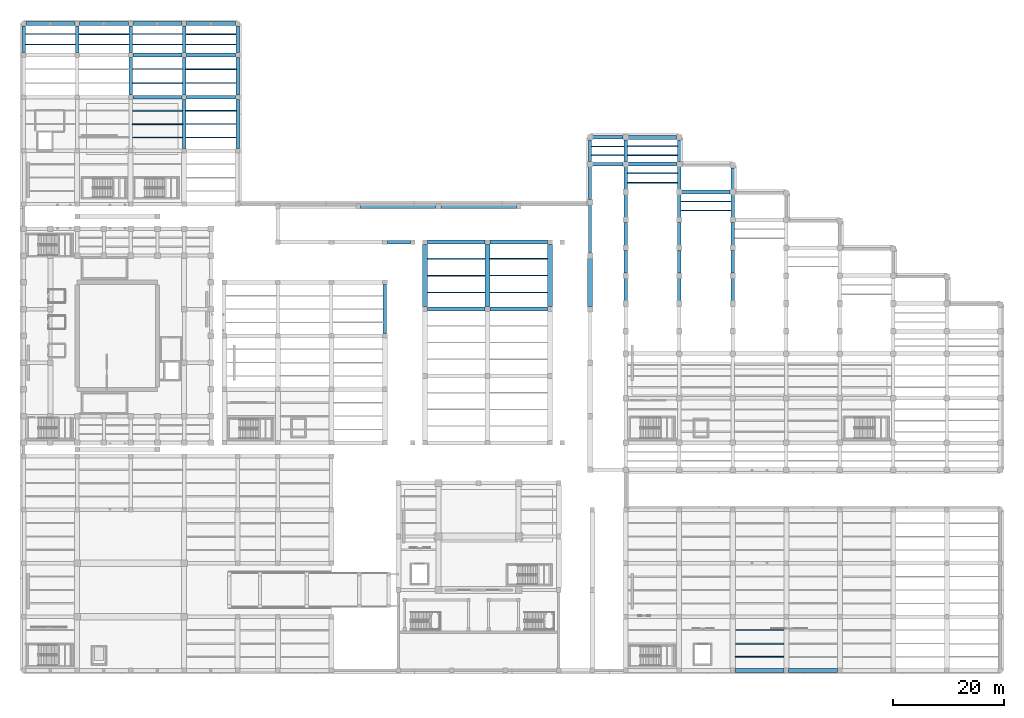
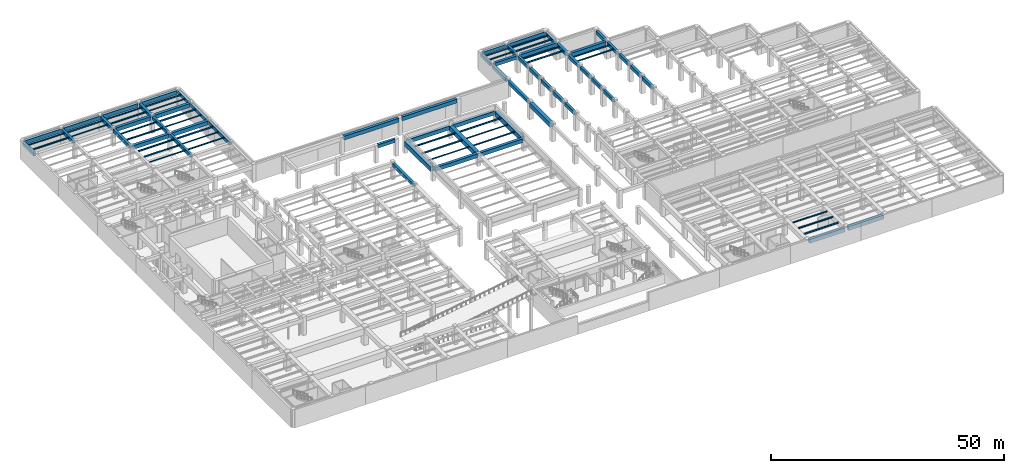
# One storey, part 19 of 45: 92 beams.
"""IFC4 building model written with IfcOpenShell, lengths in metres."""

from ifc_helpers import new_model, si_unit, direction, frame, origin, origin_2d, place, context, subcontext, project, spatial, rectangle, i_section, extrude, material, material_profile, profile_set, type_object, element, save


model = new_model("IFC4")

# Units and contexts
model_context = context("Model", 3, precision=1e-05, world=origin(), true_north=direction((0.0, 1.0)))
body_context = subcontext(model_context, "Body", "Model", "MODEL_VIEW")
ifc_project = project(units=[si_unit("LENGTHUNIT", "METRE"), si_unit("AREAUNIT", "SQUARE_METRE"), si_unit("VOLUMEUNIT", "CUBIC_METRE"), si_unit("PLANEANGLEUNIT", "RADIAN"), si_unit("MASSUNIT", "GRAM", prefix="KILO")], contexts=[model_context])

# Site, building, storey
site_placement = place(None, origin())
site = spatial("IfcSite", under=ifc_project, at=site_placement, CompositionType="ELEMENT")
building_placement = place(site_placement, origin())
building = spatial("IfcBuilding", under=site, at=building_placement, Name="Mavantir Sound Aquarium", CompositionType="ELEMENT")
storey_placement = place(building_placement, frame((0.0, 0.0, -4.800048828125)))
storey = spatial("IfcBuildingStorey", under=building, at=storey_placement, Name="B1", CompositionType="ELEMENT", Elevation=-4.800048828125)

# Beams
ifc_material_1 = material(Name="Concrete C40/50", Category="concrete")
ifc_material_profile_1 = material_profile(ifc_material_1, rectangle(XDim=0.60009765625, YDim=0.89990234375, at=origin_2d()), Name="RC 600X900")
ifc_profile_set_1 = profile_set([ifc_material_profile_1], Name="Concrete C40/50")
beam_type_1 = type_object("IfcBeamType", Name="BM-RC600X900-E", PredefinedType="BEAM", material=ifc_profile_set_1)
beam_1_placement = place(storey_placement, frame((64.800048828125, 60.425048828125, 3.946044921875), z_axis=(0.0, 1.0, 0.0), x_axis=(-1.0, 0.0, 0.0)))
element("IfcBeam", 1, at=beam_1_placement, inside=storey, type_object=beam_type_1, Name="B1 primary girder RCB-09 534", PredefinedType="BEAM", context=body_context, shape_type="SweptSolid", body=[
    extrude(rectangle(XDim=0.60009765625, YDim=0.89990234375, at=origin_2d()), origin(), (0.0, 0.0, 1.0), 8.75),
])
beam_2_placement = place(storey_placement, frame((102.050048828125, 95.60009765625, 4.01611328125), z_axis=(1.0, 0.0, 0.0), x_axis=(0.0, 1.0, 0.0)))
element("IfcBeam", 2, at=beam_2_placement, inside=storey, type_object=beam_type_1, Name="B1 primary beam RCB-09 621", PredefinedType="BEAM", context=body_context, shape_type="SweptSolid", body=[
    extrude(rectangle(XDim=0.60009765625, YDim=0.89990234375, at=origin_2d()), origin(), (0.0, 0.0, 1.0), 5.5),
])
beam_3_placement = place(storey_placement, frame((101.60009765625, 74.85009765625, 4.01611328125), z_axis=(0.0, 1.0, 0.0), x_axis=(-1.0, 0.0, 0.0)))
element("IfcBeam", 3, at=beam_3_placement, inside=storey, type_object=beam_type_1, Name="B1 primary girder RCB-09 627", PredefinedType="BEAM", context=body_context, shape_type="SweptSolid", body=[
    extrude(rectangle(XDim=0.60009765625, YDim=0.89990234375, at=origin_2d()), origin(), (0.0, 0.0, 1.0), 8.699951171875),
])
beam_4_placement = place(storey_placement, frame((101.60009765625, 84.449951171875, 4.01611328125), z_axis=(0.0, 1.0, 0.0), x_axis=(-1.0, 0.0, 0.0)))
element("IfcBeam", 4, at=beam_4_placement, inside=storey, type_object=beam_type_1, Name="B1 primary girder RCB-09 628", PredefinedType="BEAM", context=body_context, shape_type="SweptSolid", body=[
    extrude(rectangle(XDim=0.60009765625, YDim=0.89990234375, at=origin_2d()), origin(), (0.0, 0.0, 1.0), 5.900146484375),
])
beam_5_placement = place(storey_placement, frame((101.60009765625, 91.25, 4.01611328125), z_axis=(0.0, 1.0, 0.0), x_axis=(-1.0, 0.0, 0.0)))
element("IfcBeam", 5, at=beam_5_placement, inside=storey, type_object=beam_type_1, Name="B1 primary girder RCB-09 629", PredefinedType="BEAM", context=body_context, shape_type="SweptSolid", body=[
    extrude(rectangle(XDim=0.60009765625, YDim=0.89990234375, at=origin_2d()), origin(), (0.0, 0.0, 1.0), 3.89990234375),
])
beam_6_placement = place(storey_placement, frame((0.0, 110.824951171875, 4.046142578125), z_axis=(0.0, 1.0, 0.0), x_axis=(-1.0, 0.0, 0.0)))
element("IfcBeam", 6, at=beam_6_placement, inside=storey, type_object=beam_type_1, Name="B1 primary girder RCB-09 720", PredefinedType="BEAM", context=body_context, shape_type="SweptSolid", body=[
    extrude(rectangle(XDim=0.60009765625, YDim=0.89990234375, at=origin_2d()), origin(), (0.0, 0.0, 1.0), 4.75),
])
beam_7_placement = place(storey_placement, frame((38.39990234375, 93.625, 4.046142578125), z_axis=(0.0, 1.0, 0.0), x_axis=(-1.0, 0.0, 0.0)))
element("IfcBeam", 7, at=beam_7_placement, inside=storey, type_object=beam_type_1, Name="B1 primary girder RCB-09 734", PredefinedType="BEAM", context=body_context, shape_type="SweptSolid", body=[
    extrude(rectangle(XDim=0.60009765625, YDim=0.89990234375, at=origin_2d()), origin(), (0.0, 0.0, 1.0), 8.75),
])
beam_8_placement = place(storey_placement, frame((38.39990234375, 103.22509765625, 4.046142578125), z_axis=(0.0, 1.0, 0.0), x_axis=(-1.0, 0.0, 0.0)))
element("IfcBeam", 8, at=beam_8_placement, inside=storey, type_object=beam_type_1, Name="B1 primary girder RCB-09 735", PredefinedType="BEAM", context=body_context, shape_type="SweptSolid", body=[
    extrude(rectangle(XDim=0.60009765625, YDim=0.89990234375, at=origin_2d()), origin(), (0.0, 0.0, 1.0), 6.75),
])
beam_9_placement = place(storey_placement, frame((38.39990234375, 110.824951171875, 4.046142578125), z_axis=(0.0, 1.0, 0.0), x_axis=(-1.0, 0.0, 0.0)))
element("IfcBeam", 9, at=beam_9_placement, inside=storey, type_object=beam_type_1, Name="B1 primary girder RCB-09 736", PredefinedType="BEAM", context=body_context, shape_type="SweptSolid", body=[
    extrude(rectangle(XDim=0.60009765625, YDim=0.89990234375, at=origin_2d()), origin(), (0.0, 0.0, 1.0), 4.75),
])
ifc_material_profile_2 = material_profile(ifc_material_1, rectangle(XDim=0.60009765625, YDim=0.89990234375, at=origin_2d()), Name="RC 600X900")
ifc_profile_set_2 = profile_set([ifc_material_profile_2], Name="Concrete C40/50")
beam_type_2 = type_object("IfcBeamType", Name="BM-RC600X900-I", PredefinedType="BEAM", material=ifc_profile_set_2)
beam_10_placement = place(storey_placement, frame((65.22509765625, 76.800048828125, 4.095947265625), z_axis=(1.0, 0.0, 0.0), x_axis=(0.0, 1.0, 0.0)))
element("IfcBeam", 10, at=beam_10_placement, inside=storey, type_object=beam_type_2, Name="B1 primary beam RCB-09 430", PredefinedType="BEAM", context=body_context, shape_type="SweptSolid", body=[
    extrude(rectangle(XDim=0.60009765625, YDim=0.89990234375, at=origin_2d()), origin(), (0.0, 0.0, 1.0), 4.14990234375),
])
beam_11_placement = place(storey_placement, frame((102.050048828125, 90.800048828125, 4.01611328125), z_axis=(1.0, 0.0, 0.0), x_axis=(0.0, 1.0, 0.0)))
element("IfcBeam", 11, at=beam_11_placement, inside=storey, type_object=beam_type_2, Name="B1 primary beam RCB-09 619", PredefinedType="BEAM", context=body_context, shape_type="SweptSolid", body=[
    extrude(rectangle(XDim=0.60009765625, YDim=0.89990234375, at=origin_2d()), origin(), (0.0, 0.0, 1.0), 5.5),
])
for number, where, z_axis, x_axis, name in (
    (12, (108.0, 66.25, 4.01611328125), (0.0, 1.0, 0.0), (-1.0, 0.0, 0.0), "B1 primary girder RCB-09 635"),
    (13, (108.0, 71.25, 4.01611328125), (0.0, 1.0, 0.0), (-1.0, 0.0, 0.0), "B1 primary girder RCB-09 636"),
    (14, (108.0, 76.25, 4.01611328125), (0.0, 1.0, 0.0), (-1.0, 0.0, 0.0), "B1 primary girder RCB-09 637"),
    (15, (108.0, 81.25, 4.01611328125), (0.0, 1.0, 0.0), (-1.0, 0.0, 0.0), "B1 primary girder RCB-09 638"),
    (16, (108.0, 86.25, 4.01611328125), (0.0, 1.0, 0.0), (-1.0, 0.0, 0.0), "B1 primary girder RCB-09 639"),
):
    element("IfcBeam", number, at=place(storey_placement, frame(where, z_axis=z_axis, x_axis=x_axis)), inside=storey, type_object=beam_type_2, Name=name, PredefinedType="BEAM", context=body_context, shape_type="SweptSolid", body=[
        extrude(rectangle(XDim=0.60009765625, YDim=0.89990234375, at=origin_2d()), origin(), (0.0, 0.0, 1.0), 4.10009765625),
    ])
beam_12_placement = place(storey_placement, frame((108.0, 91.25, 4.01611328125), z_axis=(0.0, 1.0, 0.0), x_axis=(-1.0, 0.0, 0.0)))
element("IfcBeam", 17, at=beam_12_placement, inside=storey, type_object=beam_type_2, Name="B1 primary girder RCB-09 640", PredefinedType="BEAM", context=body_context, shape_type="SweptSolid", body=[
    extrude(rectangle(XDim=0.60009765625, YDim=0.89990234375, at=origin_2d()), origin(), (0.0, 0.0, 1.0), 3.89990234375),
])
for number, where, z_axis, x_axis, name in (
    (18, (117.60009765625, 66.25, 4.01611328125), (0.0, 1.0, 0.0), (-1.0, 0.0, 0.0), "B1 primary girder RCB-09 646"),
    (19, (117.60009765625, 71.25, 4.01611328125), (0.0, 1.0, 0.0), (-1.0, 0.0, 0.0), "B1 primary girder RCB-09 647"),
    (20, (117.60009765625, 76.25, 4.01611328125), (0.0, 1.0, 0.0), (-1.0, 0.0, 0.0), "B1 primary girder RCB-09 648"),
    (21, (117.60009765625, 81.25, 4.01611328125), (0.0, 1.0, 0.0), (-1.0, 0.0, 0.0), "B1 primary girder RCB-09 649"),
    (22, (117.60009765625, 86.25, 4.01611328125), (0.0, 1.0, 0.0), (-1.0, 0.0, 0.0), "B1 primary girder RCB-09 650"),
):
    element("IfcBeam", number, at=place(storey_placement, frame(where, z_axis=z_axis, x_axis=x_axis)), inside=storey, type_object=beam_type_2, Name=name, PredefinedType="BEAM", context=body_context, shape_type="SweptSolid", body=[
        extrude(rectangle(XDim=0.60009765625, YDim=0.89990234375, at=origin_2d()), origin(), (0.0, 0.0, 1.0), 4.10009765625),
    ])
beam_13_placement = place(storey_placement, frame((117.60009765625, 91.25, 4.01611328125), z_axis=(0.0, 1.0, 0.0), x_axis=(-1.0, 0.0, 0.0)))
element("IfcBeam", 23, at=beam_13_placement, inside=storey, type_object=beam_type_2, Name="B1 primary girder RCB-09 651", PredefinedType="BEAM", context=body_context, shape_type="SweptSolid", body=[
    extrude(rectangle(XDim=0.60009765625, YDim=0.89990234375, at=origin_2d()), origin(), (0.0, 0.0, 1.0), 3.89990234375),
])
for number, where, z_axis, x_axis, name in (
    (24, (127.199951171875, 66.25, 4.0361328125), (0.0, 1.0, 0.0), (-1.0, 0.0, 0.0), "B1 primary girder RCB-09 657"),
    (25, (127.199951171875, 71.25, 4.0361328125), (0.0, 1.0, 0.0), (-1.0, 0.0, 0.0), "B1 primary girder RCB-09 658"),
    (26, (127.199951171875, 76.25, 4.0361328125), (0.0, 1.0, 0.0), (-1.0, 0.0, 0.0), "B1 primary girder RCB-09 659"),
    (27, (127.199951171875, 81.25, 4.0361328125), (0.0, 1.0, 0.0), (-1.0, 0.0, 0.0), "B1 primary girder RCB-09 660"),
):
    element("IfcBeam", number, at=place(storey_placement, frame(where, z_axis=z_axis, x_axis=x_axis)), inside=storey, type_object=beam_type_2, Name=name, PredefinedType="BEAM", context=body_context, shape_type="SweptSolid", body=[
        extrude(rectangle(XDim=0.60009765625, YDim=0.89990234375, at=origin_2d()), origin(), (0.0, 0.0, 1.0), 4.10009765625),
    ])
beam_14_placement = place(storey_placement, frame((127.199951171875, 86.25, 4.05615234375), z_axis=(0.0, 1.0, 0.0), x_axis=(-1.0, 0.0, 0.0)))
element("IfcBeam", 28, at=beam_14_placement, inside=storey, type_object=beam_type_2, Name="B1 primary girder RCB-09 661", PredefinedType="BEAM", context=body_context, shape_type="SweptSolid", body=[
    extrude(rectangle(XDim=0.60009765625, YDim=0.89990234375, at=origin_2d()), origin(), (0.0, 0.0, 1.0), 3.89990234375),
])
beam_15_placement = place(storey_placement, frame((9.60009765625, 110.824951171875, 4.046142578125), z_axis=(0.0, 1.0, 0.0), x_axis=(-1.0, 0.0, 0.0)))
element("IfcBeam", 29, at=beam_15_placement, inside=storey, type_object=beam_type_2, Name="B1 primary girder RCB-09 724", PredefinedType="BEAM", context=body_context, shape_type="SweptSolid", body=[
    extrude(rectangle(XDim=0.60009765625, YDim=0.89990234375, at=origin_2d()), origin(), (0.0, 0.0, 1.0), 4.75),
])
beam_16_placement = place(storey_placement, frame((19.199951171875, 103.22509765625, 4.046142578125), z_axis=(0.0, 1.0, 0.0), x_axis=(-1.0, 0.0, 0.0)))
element("IfcBeam", 30, at=beam_16_placement, inside=storey, type_object=beam_type_2, Name="B1 primary girder RCB-09 727", PredefinedType="BEAM", context=body_context, shape_type="SweptSolid", body=[
    extrude(rectangle(XDim=0.60009765625, YDim=0.89990234375, at=origin_2d()), origin(), (0.0, 0.0, 1.0), 6.75),
])
beam_17_placement = place(storey_placement, frame((19.199951171875, 110.824951171875, 4.046142578125), z_axis=(0.0, 1.0, 0.0), x_axis=(-1.0, 0.0, 0.0)))
element("IfcBeam", 31, at=beam_17_placement, inside=storey, type_object=beam_type_2, Name="B1 primary girder RCB-09 728", PredefinedType="BEAM", context=body_context, shape_type="SweptSolid", body=[
    extrude(rectangle(XDim=0.60009765625, YDim=0.89990234375, at=origin_2d()), origin(), (0.0, 0.0, 1.0), 4.75),
])
beam_18_placement = place(storey_placement, frame((28.800048828125, 93.625, 4.046142578125), z_axis=(0.0, 1.0, 0.0), x_axis=(-1.0, 0.0, 0.0)))
element("IfcBeam", 32, at=beam_18_placement, inside=storey, type_object=beam_type_2, Name="B1 primary girder RCB-09 730", PredefinedType="BEAM", context=body_context, shape_type="SweptSolid", body=[
    extrude(rectangle(XDim=0.60009765625, YDim=0.89990234375, at=origin_2d()), origin(), (0.0, 0.0, 1.0), 8.75),
])
beam_19_placement = place(storey_placement, frame((28.800048828125, 103.22509765625, 4.046142578125), z_axis=(0.0, 1.0, 0.0), x_axis=(-1.0, 0.0, 0.0)))
element("IfcBeam", 33, at=beam_19_placement, inside=storey, type_object=beam_type_2, Name="B1 primary girder RCB-09 731", PredefinedType="BEAM", context=body_context, shape_type="SweptSolid", body=[
    extrude(rectangle(XDim=0.60009765625, YDim=0.89990234375, at=origin_2d()), origin(), (0.0, 0.0, 1.0), 6.75),
])
beam_20_placement = place(storey_placement, frame((28.800048828125, 110.824951171875, 4.046142578125), z_axis=(0.0, 1.0, 0.0), x_axis=(-1.0, 0.0, 0.0)))
element("IfcBeam", 34, at=beam_20_placement, inside=storey, type_object=beam_type_2, Name="B1 primary girder RCB-09 732", PredefinedType="BEAM", context=body_context, shape_type="SweptSolid", body=[
    extrude(rectangle(XDim=0.60009765625, YDim=0.89990234375, at=origin_2d()), origin(), (0.0, 0.0, 1.0), 4.75),
])
ifc_material_profile_3 = material_profile(ifc_material_1, rectangle(XDim=0.699951171875, YDim=1.0, at=origin_2d()), Name="RC 700X1000")
ifc_profile_set_3 = profile_set([ifc_material_profile_3], Name="Concrete C40/50")
beam_type_3 = type_object("IfcBeamType", Name="BM-RC700X1000-E", PredefinedType="BEAM", material=ifc_profile_set_3)
beam_21_placement = place(storey_placement, frame((108.449951171875, 95.60009765625, 3.966064453125), z_axis=(1.0, 0.0, 0.0), x_axis=(0.0, 1.0, 0.0)))
element("IfcBeam", 35, at=beam_21_placement, inside=storey, type_object=beam_type_3, Name="B1 primary beam RCB-10 622", PredefinedType="BEAM", context=body_context, shape_type="SweptSolid", body=[
    extrude(rectangle(XDim=0.699951171875, YDim=1.0, at=origin_2d()), origin(), (0.0, 0.0, 1.0), 8.699951171875),
])
for number, where, z_axis, x_axis, name in (
    (36, (0.425048828125, 116.0, 3.99609375), (1.0, 0.0, 0.0), (0.0, 1.0, 0.0), "B1 primary beam RCB-10 713"),
    (37, (10.02490234375, 116.0, 3.99609375), (1.0, 0.0, 0.0), (0.0, 1.0, 0.0), "B1 primary beam RCB-10 714"),
    (38, (19.625, 116.0, 3.99609375), (1.0, 0.0, 0.0), (0.0, 1.0, 0.0), "B1 primary beam RCB-10 715"),
    (39, (29.22509765625, 116.0, 3.99609375), (1.0, 0.0, 0.0), (0.0, 1.0, 0.0), "B1 primary beam RCB-10 716"),
    (40, (127.625, 0.0, 3.946044921875), (1.0, 0.0, 0.0), (0.0, 1.0, 0.0), "B1 primary beam RCB-10 739"),
    (41, (137.22509765625, 0.0, 3.946044921875), (1.0, 0.0, 0.0), (0.0, 1.0, 0.0), "B1 primary beam RCB-10 740"),
):
    element("IfcBeam", number, at=place(storey_placement, frame(where, z_axis=z_axis, x_axis=x_axis)), inside=storey, type_object=beam_type_3, Name=name, PredefinedType="BEAM", context=body_context, shape_type="SweptSolid", body=[
        extrude(rectangle(XDim=0.699951171875, YDim=1.0, at=origin_2d()), origin(), (0.0, 0.0, 1.0), 8.75),
    ])
ifc_material_profile_4 = material_profile(ifc_material_1, rectangle(XDim=0.699951171875, YDim=1.0, at=origin_2d()), Name="RC 700X1000")
ifc_profile_set_4 = profile_set([ifc_material_profile_4], Name="Concrete C40/50")
beam_type_4 = type_object("IfcBeamType", Name="BM-RC700X1000-I", PredefinedType="BEAM", material=ifc_profile_set_4)
beam_22_placement = place(storey_placement, frame((72.425048828125, 64.800048828125, 2.796142578125), z_axis=(1.0, 0.0, 0.0), x_axis=(0.0, 1.0, 0.0)))
element("IfcBeam", 42, at=beam_22_placement, inside=storey, type_object=beam_type_4, Name="B1 primary beam RCB-10 426", PredefinedType="BEAM", context=body_context, shape_type="SweptSolid", body=[
    extrude(rectangle(XDim=0.699951171875, YDim=1.0, at=origin_2d()), origin(), (0.0, 0.0, 1.0), 10.349853515625),
])
beam_23_placement = place(storey_placement, frame((83.625, 64.800048828125, 2.796142578125), z_axis=(1.0, 0.0, 0.0), x_axis=(0.0, 1.0, 0.0)))
element("IfcBeam", 43, at=beam_23_placement, inside=storey, type_object=beam_type_4, Name="B1 primary beam RCB-10 427", PredefinedType="BEAM", context=body_context, shape_type="SweptSolid", body=[
    extrude(rectangle(XDim=0.699951171875, YDim=1.0, at=origin_2d()), origin(), (0.0, 0.0, 1.0), 10.35009765625),
])
beam_24_placement = place(storey_placement, frame((72.425048828125, 76.800048828125, 2.796142578125), z_axis=(1.0, 0.0, 0.0), x_axis=(0.0, 1.0, 0.0)))
element("IfcBeam", 44, at=beam_24_placement, inside=storey, type_object=beam_type_4, Name="B1 primary beam RCB-10 431", PredefinedType="BEAM", context=body_context, shape_type="SweptSolid", body=[
    extrude(rectangle(XDim=0.699951171875, YDim=1.0, at=origin_2d()), origin(), (0.0, 0.0, 1.0), 10.349853515625),
])
beam_25_placement = place(storey_placement, frame((83.625, 76.800048828125, 2.796142578125), z_axis=(1.0, 0.0, 0.0), x_axis=(0.0, 1.0, 0.0)))
element("IfcBeam", 45, at=beam_25_placement, inside=storey, type_object=beam_type_4, Name="B1 primary beam RCB-10 432", PredefinedType="BEAM", context=body_context, shape_type="SweptSolid", body=[
    extrude(rectangle(XDim=0.699951171875, YDim=1.0, at=origin_2d()), origin(), (0.0, 0.0, 1.0), 10.35009765625),
])
for number, where, z_axis, x_axis, name in (
    (46, (60.425048828125, 83.199951171875, 4.046142578125), (1.0, 0.0, 0.0), (0.0, 1.0, 0.0), "B1 primary beam RCB-10 435"),
    (47, (74.824951171875, 83.199951171875, 4.046142578125), (1.0, 0.0, 0.0), (0.0, 1.0, 0.0), "B1 primary beam RCB-10 436"),
):
    element("IfcBeam", number, at=place(storey_placement, frame(where, z_axis=z_axis, x_axis=x_axis)), inside=storey, type_object=beam_type_4, Name=name, PredefinedType="BEAM", context=body_context, shape_type="SweptSolid", body=[
        extrude(rectangle(XDim=0.699951171875, YDim=1.0, at=origin_2d()), origin(), (0.0, 0.0, 1.0), 13.550048828125),
    ])
for number, where, z_axis, x_axis, name in (
    (48, (118.050048828125, 85.800048828125, 4.006103515625), (1.0, 0.0, 0.0), (0.0, 1.0, 0.0), "B1 primary beam RCB-10 618"),
    (49, (108.449951171875, 90.800048828125, 3.966064453125), (1.0, 0.0, 0.0), (0.0, 1.0, 0.0), "B1 primary beam RCB-10 620"),
):
    element("IfcBeam", number, at=place(storey_placement, frame(where, z_axis=z_axis, x_axis=x_axis)), inside=storey, type_object=beam_type_4, Name=name, PredefinedType="BEAM", context=body_context, shape_type="SweptSolid", body=[
        extrude(rectangle(XDim=0.699951171875, YDim=1.0, at=origin_2d()), origin(), (0.0, 0.0, 1.0), 8.699951171875),
    ])
for number, where, z_axis, x_axis, name in (
    (50, (19.625, 102.800048828125, 3.99609375), (1.0, 0.0, 0.0), (0.0, 1.0, 0.0), "B1 primary beam RCB-10 707"),
    (51, (29.22509765625, 102.800048828125, 3.99609375), (1.0, 0.0, 0.0), (0.0, 1.0, 0.0), "B1 primary beam RCB-10 708"),
    (52, (19.625, 110.39990234375, 3.99609375), (1.0, 0.0, 0.0), (0.0, 1.0, 0.0), "B1 primary beam RCB-10 711"),
    (53, (29.22509765625, 110.39990234375, 3.99609375), (1.0, 0.0, 0.0), (0.0, 1.0, 0.0), "B1 primary beam RCB-10 712"),
):
    element("IfcBeam", number, at=place(storey_placement, frame(where, z_axis=z_axis, x_axis=x_axis)), inside=storey, type_object=beam_type_4, Name=name, PredefinedType="BEAM", context=body_context, shape_type="SweptSolid", body=[
        extrude(rectangle(XDim=0.699951171875, YDim=1.0, at=origin_2d()), origin(), (0.0, 0.0, 1.0), 8.75),
    ])
ifc_material_profile_5 = material_profile(ifc_material_1, rectangle(XDim=0.89990234375, YDim=1.199951171875, at=origin_2d()), Name="RC 900X1200")
ifc_profile_set_5 = profile_set([ifc_material_profile_5], Name="Concrete C40/50")
beam_type_5 = type_object("IfcBeamType", Name="BM-RC900X1200-E", PredefinedType="BEAM", material=ifc_profile_set_5)
beam_26_placement = place(storey_placement, frame((101.60009765625, 65.25, 3.865966796875), z_axis=(0.0, 1.0, 0.0), x_axis=(-1.0, 0.0, 0.0)))
element("IfcBeam", 54, at=beam_26_placement, inside=storey, type_object=beam_type_5, Name="B1 primary girder RCB-12 626", PredefinedType="BEAM", context=body_context, shape_type="SweptSolid", body=[
    extrude(rectangle(XDim=0.89990234375, YDim=1.199951171875, at=origin_2d()), origin(), (0.0, 0.0, 1.0), 8.699951171875),
])
ifc_material_profile_6 = material_profile(ifc_material_1, rectangle(XDim=0.89990234375, YDim=1.199951171875, at=origin_2d()), Name="RC 900X1200")
ifc_profile_set_6 = profile_set([ifc_material_profile_6], Name="Concrete C40/50")
beam_type_6 = type_object("IfcBeamType", Name="BM-RC900X1200-I", PredefinedType="BEAM", material=ifc_profile_set_6)
for number, where, z_axis, x_axis, name in (
    (55, (72.0, 65.22509765625, 2.696044921875), (0.0, 1.0, 0.0), (-1.0, 0.0, 0.0), "B1 primary girder RCB-12 440"),
    (56, (83.199951171875, 65.22509765625, 2.696044921875), (0.0, 1.0, 0.0), (-1.0, 0.0, 0.0), "B1 primary girder RCB-12 443"),
    (57, (94.39990234375, 65.22509765625, 2.696044921875), (0.0, 1.0, 0.0), (-1.0, 0.0, 0.0), "B1 primary girder RCB-12 446"),
):
    element("IfcBeam", number, at=place(storey_placement, frame(where, z_axis=z_axis, x_axis=x_axis)), inside=storey, type_object=beam_type_6, Name=name, PredefinedType="BEAM", context=body_context, shape_type="SweptSolid", body=[
        extrude(rectangle(XDim=0.89990234375, YDim=1.199951171875, at=origin_2d()), origin(), (0.0, 0.0, 1.0), 11.14990234375),
    ])
ifc_material_2 = material(Name="Structural Steel ASTM A992 Gr50", Category="steel")
ifc_material_profile_7 = material_profile(ifc_material_2, i_section(OverallWidth=0.202880859375, OverallDepth=0.251953125, WebThickness=0.008056640625, FlangeThickness=0.013427734375, FilletRadius=0.011962890625, at=origin_2d()), Name="W250X58")
ifc_profile_set_7 = profile_set([ifc_material_profile_7], Name="Structural Steel ASTM A992 Gr50")
beam_type_7 = type_object("IfcBeamType", Name="BM-W250X58-I", PredefinedType="JOIST", material=ifc_profile_set_7)
for number, where, z_axis, x_axis, name in (
    (58, (72.449951171875, 67.800048828125, 3.170166015625), (1.0, 0.0, 0.0), (0.0, 1.0, 0.0), "B1 secondary floor joist SJ-25 172"),
    (59, (83.64990234375, 70.800048828125, 3.170166015625), (1.0, 0.0, 0.0), (0.0, 1.0, 0.0), "B1 secondary floor joist SJ-25 176"),
):
    element("IfcBeam", number, at=place(storey_placement, frame(where, z_axis=z_axis, x_axis=x_axis)), inside=storey, type_object=beam_type_7, Name=name, PredefinedType="JOIST", context=body_context, shape_type="SweptSolid", body=[
        extrude(i_section(OverallWidth=0.202880859375, OverallDepth=0.251953125, WebThickness=0.008056640625, FlangeThickness=0.013427734375, FilletRadius=0.011962890625, at=origin_2d()), origin(), (0.0, 0.0, 1.0), 10.300048828125),
    ])
beam_27_placement = place(storey_placement, frame((117.89990234375, 84.13330078125, 4.380126953125), z_axis=(1.0, 0.0, 0.0), x_axis=(0.0, 1.0, 0.0)))
element("IfcBeam", 60, at=beam_27_placement, inside=storey, type_object=beam_type_7, Name="B1 secondary floor joist SJ-25 332", PredefinedType="JOIST", context=body_context, shape_type="SweptSolid", body=[
    extrude(i_section(OverallWidth=0.202880859375, OverallDepth=0.251953125, WebThickness=0.008056640625, FlangeThickness=0.013427734375, FilletRadius=0.011962890625, at=origin_2d()), origin(), (0.0, 0.0, 1.0), 9.0),
])
beam_28_placement = place(storey_placement, frame((101.89990234375, 94.0, 4.340087890625), z_axis=(1.0, 0.0, 0.0), x_axis=(0.0, 1.0, 0.0)))
element("IfcBeam", 61, at=beam_28_placement, inside=storey, type_object=beam_type_7, Name="B1 secondary floor joist SJ-25 336", PredefinedType="JOIST", context=body_context, shape_type="SweptSolid", body=[
    extrude(i_section(OverallWidth=0.202880859375, OverallDepth=0.251953125, WebThickness=0.008056640625, FlangeThickness=0.013427734375, FilletRadius=0.011962890625, at=origin_2d()), origin(), (0.0, 0.0, 1.0), 5.800048828125),
])
for number, where, z_axis, x_axis, name in (
    (62, (19.5, 95.60009765625, 4.3701171875), (1.0, 0.0, 0.0), (0.0, 1.0, 0.0), "B1 secondary floor joist SJ-25 352"),
    (63, (29.10009765625, 98.0, 4.3701171875), (1.0, 0.0, 0.0), (0.0, 1.0, 0.0), "B1 secondary floor joist SJ-25 356"),
    (64, (29.10009765625, 105.333251953125, 4.3701171875), (1.0, 0.0, 0.0), (0.0, 1.0, 0.0), "B1 secondary floor joist SJ-25 364"),
    (65, (9.89990234375, 112.2666015625, 4.3701171875), (1.0, 0.0, 0.0), (0.0, 1.0, 0.0), "B1 secondary floor joist SJ-25 368"),
    (66, (29.10009765625, 112.2666015625, 4.3701171875), (1.0, 0.0, 0.0), (0.0, 1.0, 0.0), "B1 secondary floor joist SJ-25 372"),
):
    element("IfcBeam", number, at=place(storey_placement, frame(where, z_axis=z_axis, x_axis=x_axis)), inside=storey, type_object=beam_type_7, Name=name, PredefinedType="JOIST", context=body_context, shape_type="SweptSolid", body=[
        extrude(i_section(OverallWidth=0.202880859375, OverallDepth=0.251953125, WebThickness=0.008056640625, FlangeThickness=0.013427734375, FilletRadius=0.011962890625, at=origin_2d()), origin(), (0.0, 0.0, 1.0), 9.0),
    ])
ifc_material_profile_8 = material_profile(ifc_material_2, i_section(OverallWidth=0.205078125, OverallDepth=0.31005859375, WebThickness=0.009521484375, FlangeThickness=0.016357421875, FilletRadius=0.012939453125, at=origin_2d()), Name="W310X74")
ifc_profile_set_8 = profile_set([ifc_material_profile_8], Name="Structural Steel ASTM A992 Gr50")
beam_type_8 = type_object("IfcBeamType", Name="BM-W310X74-I", PredefinedType="JOIST", material=ifc_profile_set_8)
beam_29_placement = place(storey_placement, frame((83.64990234375, 67.800048828125, 3.14111328125), z_axis=(1.0, 0.0, 0.0), x_axis=(0.0, 1.0, 0.0)))
element("IfcBeam", 67, at=beam_29_placement, inside=storey, type_object=beam_type_8, Name="B1 secondary floor joist SJ-31 175", PredefinedType="JOIST", context=body_context, shape_type="SweptSolid", body=[
    extrude(i_section(OverallWidth=0.205078125, OverallDepth=0.31005859375, WebThickness=0.009521484375, FlangeThickness=0.016357421875, FilletRadius=0.012939453125, at=origin_2d()), origin(), (0.0, 0.0, 1.0), 10.300048828125),
])
beam_30_placement = place(storey_placement, frame((117.89990234375, 82.466796875, 4.35107421875), z_axis=(1.0, 0.0, 0.0), x_axis=(0.0, 1.0, 0.0)))
element("IfcBeam", 68, at=beam_30_placement, inside=storey, type_object=beam_type_8, Name="B1 secondary floor joist SJ-31 331", PredefinedType="JOIST", context=body_context, shape_type="SweptSolid", body=[
    extrude(i_section(OverallWidth=0.205078125, OverallDepth=0.31005859375, WebThickness=0.009521484375, FlangeThickness=0.016357421875, FilletRadius=0.012939453125, at=origin_2d()), origin(), (0.0, 0.0, 1.0), 9.0),
])
beam_31_placement = place(storey_placement, frame((101.89990234375, 92.39990234375, 4.31103515625), z_axis=(1.0, 0.0, 0.0), x_axis=(0.0, 1.0, 0.0)))
element("IfcBeam", 69, at=beam_31_placement, inside=storey, type_object=beam_type_8, Name="B1 secondary floor joist SJ-31 335", PredefinedType="JOIST", context=body_context, shape_type="SweptSolid", body=[
    extrude(i_section(OverallWidth=0.205078125, OverallDepth=0.31005859375, WebThickness=0.009521484375, FlangeThickness=0.016357421875, FilletRadius=0.012939453125, at=origin_2d()), origin(), (0.0, 0.0, 1.0), 5.800048828125),
])
for number, where, z_axis, x_axis, name in (
    (70, (29.10009765625, 95.60009765625, 4.341064453125), (1.0, 0.0, 0.0), (0.0, 1.0, 0.0), "B1 secondary floor joist SJ-31 355"),
    (71, (19.5, 107.86669921875, 4.341064453125), (1.0, 0.0, 0.0), (0.0, 1.0, 0.0), "B1 secondary floor joist SJ-31 363"),
    (72, (0.300048828125, 114.13330078125, 4.341064453125), (1.0, 0.0, 0.0), (0.0, 1.0, 0.0), "B1 secondary floor joist SJ-31 367"),
    (73, (19.5, 114.13330078125, 4.341064453125), (1.0, 0.0, 0.0), (0.0, 1.0, 0.0), "B1 secondary floor joist SJ-31 371"),
):
    element("IfcBeam", number, at=place(storey_placement, frame(where, z_axis=z_axis, x_axis=x_axis)), inside=storey, type_object=beam_type_8, Name=name, PredefinedType="JOIST", context=body_context, shape_type="SweptSolid", body=[
        extrude(i_section(OverallWidth=0.205078125, OverallDepth=0.31005859375, WebThickness=0.009521484375, FlangeThickness=0.016357421875, FilletRadius=0.012939453125, at=origin_2d()), origin(), (0.0, 0.0, 1.0), 9.0),
    ])
beam_32_placement = place(storey_placement, frame((127.64990234375, 7.199951171875, 4.291015625), z_axis=(1.0, 0.0, 0.0), x_axis=(0.0, 1.0, 0.0)))
element("IfcBeam", 74, at=beam_32_placement, inside=storey, type_object=beam_type_8, Name="B1 secondary floor joist SJ-31 379", PredefinedType="JOIST", context=body_context, shape_type="SweptSolid", body=[
    extrude(i_section(OverallWidth=0.205078125, OverallDepth=0.31005859375, WebThickness=0.009521484375, FlangeThickness=0.016357421875, FilletRadius=0.012939453125, at=origin_2d()), origin(), (0.0, 0.0, 1.0), 8.7001953125),
])
ifc_material_profile_9 = material_profile(ifc_material_2, i_section(OverallWidth=0.25390625, OverallDepth=0.35302734375, WebThickness=0.009521484375, FlangeThickness=0.016357421875, FilletRadius=0.014892578125, at=origin_2d()), Name="W360X91")
ifc_profile_set_9 = profile_set([ifc_material_profile_9], Name="Structural Steel ASTM A992 Gr50")
beam_type_9 = type_object("IfcBeamType", Name="BM-W360X91-I", PredefinedType="JOIST", material=ifc_profile_set_9)
beam_33_placement = place(storey_placement, frame((72.449951171875, 73.800048828125, 3.11962890625), z_axis=(1.0, 0.0, 0.0), x_axis=(0.0, 1.0, 0.0)))
element("IfcBeam", 75, at=beam_33_placement, inside=storey, type_object=beam_type_9, Name="B1 secondary floor joist SJ-36 174", PredefinedType="JOIST", context=body_context, shape_type="SweptSolid", body=[
    extrude(i_section(OverallWidth=0.25390625, OverallDepth=0.35302734375, WebThickness=0.009521484375, FlangeThickness=0.016357421875, FilletRadius=0.014892578125, at=origin_2d()), origin(), (0.0, 0.0, 1.0), 10.300048828125),
])
for number, where, z_axis, x_axis, name in (
    (76, (108.300048828125, 89.13330078125, 4.28955078125), (1.0, 0.0, 0.0), (0.0, 1.0, 0.0), "B1 secondary floor joist SJ-36 334"),
    (77, (108.300048828125, 94.0, 4.28955078125), (1.0, 0.0, 0.0), (0.0, 1.0, 0.0), "B1 secondary floor joist SJ-36 338"),
    (78, (19.5, 100.39990234375, 4.319580078125), (1.0, 0.0, 0.0), (0.0, 1.0, 0.0), "B1 secondary floor joist SJ-36 354"),
    (79, (19.5, 105.333251953125, 4.319580078125), (1.0, 0.0, 0.0), (0.0, 1.0, 0.0), "B1 secondary floor joist SJ-36 362"),
    (80, (0.300048828125, 112.2666015625, 4.319580078125), (1.0, 0.0, 0.0), (0.0, 1.0, 0.0), "B1 secondary floor joist SJ-36 366"),
    (81, (19.5, 112.2666015625, 4.319580078125), (1.0, 0.0, 0.0), (0.0, 1.0, 0.0), "B1 secondary floor joist SJ-36 370"),
):
    element("IfcBeam", number, at=place(storey_placement, frame(where, z_axis=z_axis, x_axis=x_axis)), inside=storey, type_object=beam_type_9, Name=name, PredefinedType="JOIST", context=body_context, shape_type="SweptSolid", body=[
        extrude(i_section(OverallWidth=0.25390625, OverallDepth=0.35302734375, WebThickness=0.009521484375, FlangeThickness=0.016357421875, FilletRadius=0.014892578125, at=origin_2d()), origin(), (0.0, 0.0, 1.0), 9.0),
    ])
beam_34_placement = place(storey_placement, frame((127.64990234375, 4.800048828125, 4.26953125), z_axis=(1.0, 0.0, 0.0), x_axis=(0.0, 1.0, 0.0)))
element("IfcBeam", 82, at=beam_34_placement, inside=storey, type_object=beam_type_9, Name="B1 secondary floor joist SJ-36 378", PredefinedType="JOIST", context=body_context, shape_type="SweptSolid", body=[
    extrude(i_section(OverallWidth=0.25390625, OverallDepth=0.35302734375, WebThickness=0.009521484375, FlangeThickness=0.016357421875, FilletRadius=0.014892578125, at=origin_2d()), origin(), (0.0, 0.0, 1.0), 8.7001953125),
])
ifc_material_profile_10 = material_profile(ifc_material_2, i_section(OverallWidth=0.180908203125, OverallDepth=0.4169921875, WebThickness=0.010986328125, FlangeThickness=0.018310546875, FilletRadius=0.014892578125, at=origin_2d()), Name="W410X85")
ifc_profile_set_10 = profile_set([ifc_material_profile_10], Name="Structural Steel ASTM A992 Gr50")
beam_type_10 = type_object("IfcBeamType", Name="BM-W410X85-I", PredefinedType="JOIST", material=ifc_profile_set_10)
for number, where, z_axis, x_axis, name in (
    (83, (72.449951171875, 70.800048828125, 3.087646484375), (1.0, 0.0, 0.0), (0.0, 1.0, 0.0), "B1 secondary floor joist SJ-41 173"),
    (84, (83.64990234375, 73.800048828125, 3.087646484375), (1.0, 0.0, 0.0), (0.0, 1.0, 0.0), "B1 secondary floor joist SJ-41 177"),
):
    element("IfcBeam", number, at=place(storey_placement, frame(where, z_axis=z_axis, x_axis=x_axis)), inside=storey, type_object=beam_type_10, Name=name, PredefinedType="JOIST", context=body_context, shape_type="SweptSolid", body=[
        extrude(i_section(OverallWidth=0.180908203125, OverallDepth=0.4169921875, WebThickness=0.010986328125, FlangeThickness=0.018310546875, FilletRadius=0.014892578125, at=origin_2d()), origin(), (0.0, 0.0, 1.0), 10.300048828125),
    ])
for number, where, z_axis, x_axis, name in (
    (85, (108.300048828125, 87.466796875, 4.257568359375), (1.0, 0.0, 0.0), (0.0, 1.0, 0.0), "B1 secondary floor joist SJ-41 333"),
    (86, (108.300048828125, 92.39990234375, 4.257568359375), (1.0, 0.0, 0.0), (0.0, 1.0, 0.0), "B1 secondary floor joist SJ-41 337"),
    (87, (19.5, 98.0, 4.28759765625), (1.0, 0.0, 0.0), (0.0, 1.0, 0.0), "B1 secondary floor joist SJ-41 353"),
    (88, (29.10009765625, 100.39990234375, 4.28759765625), (1.0, 0.0, 0.0), (0.0, 1.0, 0.0), "B1 secondary floor joist SJ-41 357"),
    (89, (29.10009765625, 107.86669921875, 4.28759765625), (1.0, 0.0, 0.0), (0.0, 1.0, 0.0), "B1 secondary floor joist SJ-41 365"),
    (90, (9.89990234375, 114.13330078125, 4.28759765625), (1.0, 0.0, 0.0), (0.0, 1.0, 0.0), "B1 secondary floor joist SJ-41 369"),
    (91, (29.10009765625, 114.13330078125, 4.28759765625), (1.0, 0.0, 0.0), (0.0, 1.0, 0.0), "B1 secondary floor joist SJ-41 373"),
):
    element("IfcBeam", number, at=place(storey_placement, frame(where, z_axis=z_axis, x_axis=x_axis)), inside=storey, type_object=beam_type_10, Name=name, PredefinedType="JOIST", context=body_context, shape_type="SweptSolid", body=[
        extrude(i_section(OverallWidth=0.180908203125, OverallDepth=0.4169921875, WebThickness=0.010986328125, FlangeThickness=0.018310546875, FilletRadius=0.014892578125, at=origin_2d()), origin(), (0.0, 0.0, 1.0), 9.0),
    ])
beam_35_placement = place(storey_placement, frame((127.64990234375, 2.39990234375, 4.237548828125), z_axis=(1.0, 0.0, 0.0), x_axis=(0.0, 1.0, 0.0)))
element("IfcBeam", 92, at=beam_35_placement, inside=storey, type_object=beam_type_10, Name="B1 secondary floor joist SJ-41 377", PredefinedType="JOIST", context=body_context, shape_type="SweptSolid", body=[
    extrude(i_section(OverallWidth=0.180908203125, OverallDepth=0.4169921875, WebThickness=0.010986328125, FlangeThickness=0.018310546875, FilletRadius=0.014892578125, at=origin_2d()), origin(), (0.0, 0.0, 1.0), 8.7001953125),
])

save(model, "model.ifc")
